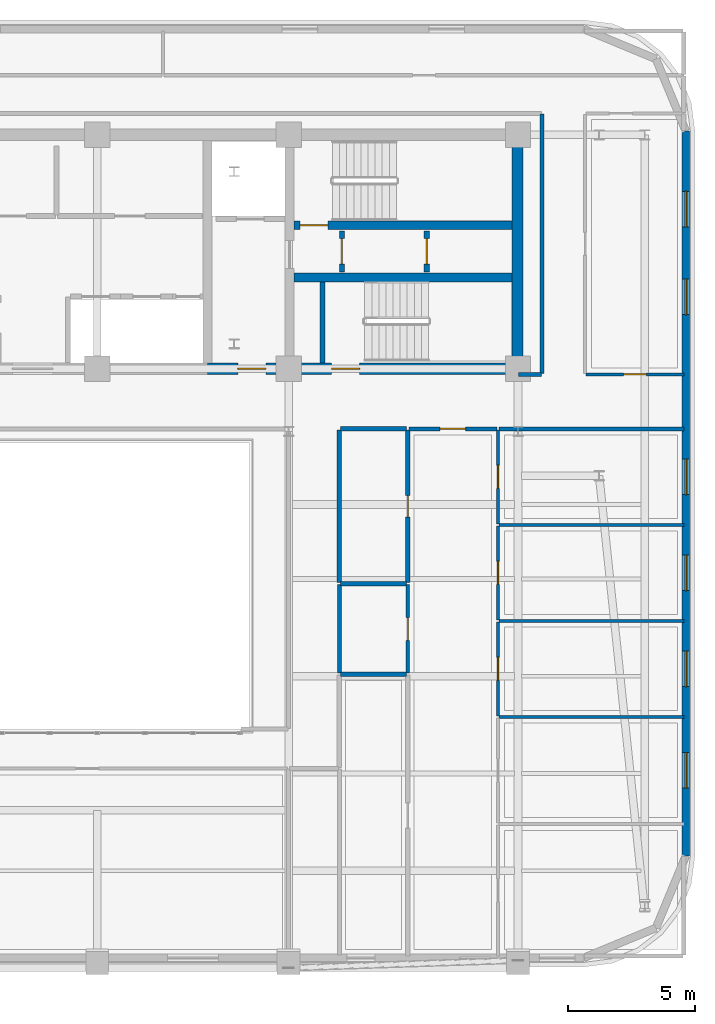
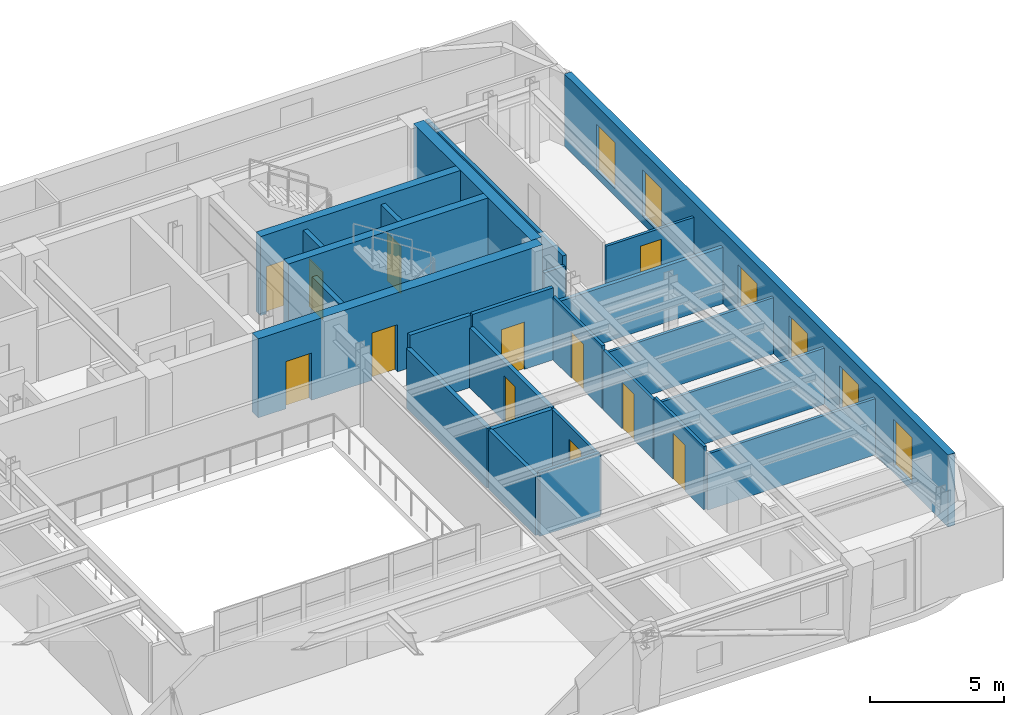
# One storey, part 8 of 13: 26 walls, 12 doors, 6 windows, 18 openings.
"""IFC4 building model written with IfcOpenShell, lengths in metres."""

from ifc_helpers import new_model, si_unit, direction, frame, frame_2d, origin, place, context, subcontext, project, spatial, rectangle, extrude, material, layer, layer_set, type_object, element, fill, save


model = new_model("IFC4")

# Units and contexts
model_context = context("Model", 3, precision=1e-05, world=origin(), true_north=direction((0.0, 1.0)))
body_context = subcontext(model_context, "Body", "Model", "MODEL_VIEW")
ifc_project = project(units=[si_unit("LENGTHUNIT", "METRE"), si_unit("AREAUNIT", "SQUARE_METRE"), si_unit("VOLUMEUNIT", "CUBIC_METRE"), si_unit("PLANEANGLEUNIT", "RADIAN"), si_unit("MASSUNIT", "GRAM", prefix="KILO")], contexts=[model_context])

# Site, building, storey
site_placement = place(None, origin())
site = spatial("IfcSite", under=ifc_project, at=site_placement, CompositionType="ELEMENT")
building_placement = place(site_placement, origin())
building = spatial("IfcBuilding", under=site, at=building_placement, Name="Zarnavel Station Tower", CompositionType="ELEMENT")
storey_placement = place(building_placement, frame((0.0, 0.0, 240.0)))
storey = spatial("IfcBuildingStorey", under=building, at=storey_placement, Name="L65", CompositionType="ELEMENT", Elevation=240.0)

# Wall, opening, door
ifc_material_1 = material(Name="Concrete C50/60", Category="concrete")
ifc_layer_1 = layer(ifc_material_1, 0.35009765625)
ifc_layer_set_1 = layer_set([ifc_layer_1], Name="CW_350")
wall_type_1 = type_object("IfcWallType", Name="CW_350", PredefinedType="SHEAR", material=ifc_layer_set_1)
wall_1_placement = place(storey_placement, frame((45.155029296875, 33.47998046875, 0.0), z_axis=(0.0, 0.0, 1.0), x_axis=(-1.0, 0.0, 0.0)))
wall_1 = element("IfcWall", 1, at=wall_1_placement, inside=storey, type_object=wall_type_1, Name="L65 Rear Core Shear Wall DIV-H2", PredefinedType="SHEAR", context=body_context, shape_type="SweptSolid", body=[
    extrude(rectangle(XDim=8.60009765625, YDim=0.35009765625, at=frame_2d((4.300048828125, 0.0))), origin(), (0.0, 0.0, 1.0), 3.60009765625),
])
opening_1_placement = place(wall_1_placement, frame((7.2548828125, 0.0, 0.0)))
opening_1 = element("IfcOpeningElement", 2, at=opening_1_placement, cuts=wall_1, Name="Opening FD01", PredefinedType="OPENING", context=body_context, shape_type="SweptSolid", body=[
    extrude(rectangle(XDim=1.10009765625, YDim=2.14990234375, at=frame_2d((0.550048828125, 1.074951171875))), frame((0.0, 0.18505859375, 0.0), z_axis=(0.0, -1.0, 0.0), x_axis=(1.0, 0.0, 0.0)), (0.0, 0.0, 1.0), 0.3701171875),
])
ifc_material_2 = material(Name="Painted Galvanised Steel and Hardwood Leaf", Category="steel")
door_type_1 = type_object("IfcDoorType", Name="ID_STAIR_1100", OperationType="NOTDEFINED", PredefinedType="DOOR", material=ifc_material_2)
door_1_placement = place(opening_1_placement, origin())
door_1 = element("IfcDoor", 3, at=door_1_placement, inside=storey, type_object=door_type_1, Name="L65 Stair ST2 Lobby Fire Door", OperationType="SINGLE_SWING_RIGHT", OverallHeight=2.14990234375, OverallWidth=1.10009765625, PredefinedType="DOOR", context=body_context, shape_type="SweptSolid", body=[
    extrude(rectangle(XDim=1.10009765625, YDim=2.14990234375, at=frame_2d((0.550048828125, 1.074951171875))), frame((0.0, 0.02490234375, 0.0), z_axis=(0.0, -1.0, 0.0), x_axis=(1.0, 0.0, 0.0)), (0.0, 0.0, 1.0), 0.050048828125),
])
fill(opening_1, door_1)

# Wall
wall_2_placement = place(storey_placement, frame((36.554931640625, 31.419921875, 0.0), z_axis=(0.0, 0.0, 1.0), x_axis=(1.0, 0.0, 0.0)))
element("IfcWall", 4, at=wall_2_placement, inside=storey, type_object=wall_type_1, Name="L65 Rear Core Shear Wall DIV-H3", PredefinedType="SHEAR", context=body_context, shape_type="SweptSolid", body=[
    extrude(rectangle(XDim=8.60009765625, YDim=0.35009765625, at=frame_2d((4.300048828125, 0.0))), origin(), (0.0, 0.0, 1.0), 3.60009765625),
])

# Wall, openings, doors
ifc_material_3 = material(Name="Concrete C50/60", Category="concrete")
ifc_layer_2 = layer(ifc_material_3, 0.449951171875)
ifc_layer_set_2 = layer_set([ifc_layer_2], Name="CW_450")
wall_type_2 = type_object("IfcWallType", Name="CW_450", PredefinedType="SHEAR", material=ifc_layer_set_2)
wall_3_placement = place(storey_placement, frame((45.3798828125, 27.820068359375, 0.0), z_axis=(0.0, 0.0, 1.0), x_axis=(-1.0, 0.0, 0.0)))
wall_3 = element("IfcWall", 5, at=wall_3_placement, inside=storey, type_object=wall_type_2, Name="L65 Rear Core Shear Wall S-E", PredefinedType="SHEAR", context=body_context, shape_type="SweptSolid", body=[
    extrude(rectangle(XDim=12.22998046875, YDim=0.449951171875, at=frame_2d((6.114990234375, 0.0))), origin(), (0.0, 0.0, 1.0), 3.60009765625),
])
opening_2_placement = place(wall_3_placement, frame((9.929931640625, 0.0, 0.0)))
opening_2 = element("IfcOpeningElement", 6, at=opening_2_placement, cuts=wall_3, Name="Opening FD01", PredefinedType="OPENING", context=body_context, shape_type="SweptSolid", body=[
    extrude(rectangle(XDim=1.10009765625, YDim=2.14990234375, at=frame_2d((0.550048828125, 1.074951171875))), frame((0.0, 0.23486328125, 0.0), z_axis=(0.0, -1.0, 0.0), x_axis=(1.0, 0.0, 0.0)), (0.0, 0.0, 1.0), 0.469970703125),
])
opening_3_placement = place(wall_3_placement, frame((6.22998046875, 0.0, 0.0)))
opening_3 = element("IfcOpeningElement", 7, at=opening_3_placement, cuts=wall_3, Name="Opening FD01", PredefinedType="OPENING", context=body_context, shape_type="SweptSolid", body=[
    extrude(rectangle(XDim=1.10009765625, YDim=2.14990234375, at=frame_2d((0.550048828125, 1.074951171875))), frame((0.0, 0.23486328125, 0.0), z_axis=(0.0, -1.0, 0.0), x_axis=(1.0, 0.0, 0.0)), (0.0, 0.0, 1.0), 0.469970703125),
])
door_2_placement = place(opening_2_placement, origin())
door_2 = element("IfcDoor", 8, at=door_2_placement, inside=storey, type_object=door_type_1, Name="L65 East Firefighting Lobby Door", OperationType="SINGLE_SWING_LEFT", OverallHeight=2.14990234375, OverallWidth=1.10009765625, PredefinedType="DOOR", context=body_context, shape_type="SweptSolid", body=[
    extrude(rectangle(XDim=1.10009765625, YDim=2.14990234375, at=frame_2d((0.550048828125, 1.074951171875))), frame((0.0, 0.02490234375, 0.0), z_axis=(0.0, -1.0, 0.0), x_axis=(1.0, 0.0, 0.0)), (0.0, 0.0, 1.0), 0.050048828125),
])
fill(opening_2, door_2)
door_3_placement = place(opening_3_placement, origin())
door_3 = element("IfcDoor", 9, at=door_3_placement, inside=storey, type_object=door_type_1, Name="L65 Stair ST3 Corridor Fire Door", OperationType="SINGLE_SWING_RIGHT", OverallHeight=2.14990234375, OverallWidth=1.10009765625, PredefinedType="DOOR", context=body_context, shape_type="SweptSolid", body=[
    extrude(rectangle(XDim=1.10009765625, YDim=2.14990234375, at=frame_2d((0.550048828125, 1.074951171875))), frame((0.0, 0.02490234375, 0.0), z_axis=(0.0, -1.0, 0.0), x_axis=(1.0, 0.0, 0.0)), (0.0, 0.0, 1.0), 0.050048828125),
])
fill(opening_3, door_3)

# Wall
wall_4_placement = place(storey_placement, frame((45.3798828125, 28.044921875, 0.0), z_axis=(0.0, 0.0, 1.0), x_axis=(0.0, 1.0, 0.0)))
element("IfcWall", 10, at=wall_4_placement, inside=storey, type_object=wall_type_2, Name="L65 Rear Core Shear Wall E", PredefinedType="SHEAR", context=body_context, shape_type="SweptSolid", body=[
    extrude(rectangle(XDim=8.780029296875, YDim=0.449951171875, at=frame_2d((4.39013671875, 0.0))), origin(), (0.0, 0.0, 1.0), 3.60009765625),
])

# Wall, openings, windows
ifc_material_4 = material(Name="Precast concrete C45/55 (Dark Basalt Finish)", Category="masonry")
ifc_layer_3 = layer(ifc_material_4, 0.300048828125)
ifc_layer_set_3 = layer_set([ifc_layer_3], Name="EW_BASALT_300")
wall_type_3 = type_object("IfcWallType", Name="EW_BASALT_300", PredefinedType="SOLIDWALL", material=ifc_layer_set_3)
wall_5_placement = place(storey_placement, frame((52.02001953125, 37.199951171875, 0.0), z_axis=(0.0, 0.0, 1.0), x_axis=(0.0, -1.0, 0.0)))
wall_5 = element("IfcWall", 11, at=wall_5_placement, inside=storey, type_object=wall_type_3, Name="L65 Exterior Basalt Masonry Frame Wall 03", PredefinedType="SOLIDWALL", context=body_context, shape_type="SweptSolid", body=[
    extrude(rectangle(XDim=28.599853515625, YDim=0.300048828125, at=frame_2d((14.2998046875, 0.0))), origin(), (0.0, 0.0, 1.0), 3.280029296875),
])
opening_4_placement = place(wall_5_placement, frame((2.3798828125, 0.0, 0.340087890625)))
opening_4 = element("IfcOpeningElement", 12, at=opening_4_placement, cuts=wall_5, Name="Opening WN04", PredefinedType="OPENING", context=body_context, shape_type="SweptSolid", body=[
    extrude(rectangle(XDim=1.39990234375, YDim=2.10009765625, at=frame_2d((0.699951171875, 1.050048828125))), frame((0.0, 0.159912109375, 0.0), z_axis=(0.0, -1.0, 0.0), x_axis=(1.0, 0.0, 0.0)), (0.0, 0.0, 1.0), 0.320068359375),
])
opening_5_placement = place(wall_5_placement, frame((5.840087890625, 0.0, 0.340087890625)))
opening_5 = element("IfcOpeningElement", 13, at=opening_5_placement, cuts=wall_5, Name="Opening WN04", PredefinedType="OPENING", context=body_context, shape_type="SweptSolid", body=[
    extrude(rectangle(XDim=1.39990234375, YDim=2.10009765625, at=frame_2d((0.699951171875, 1.050048828125))), frame((0.0, 0.159912109375, 0.0), z_axis=(0.0, -1.0, 0.0), x_axis=(1.0, 0.0, 0.0)), (0.0, 0.0, 1.0), 0.320068359375),
])
opening_6_placement = place(wall_5_placement, frame((24.529052734375, 0.0, 0.340087890625)))
opening_6 = element("IfcOpeningElement", 14, at=opening_6_placement, cuts=wall_5, Name="Opening WN04", PredefinedType="OPENING", context=body_context, shape_type="SweptSolid", body=[
    extrude(rectangle(XDim=1.39990234375, YDim=2.10009765625, at=frame_2d((0.699951171875, 1.050048828125))), frame((0.0, 0.159912109375, 0.0), z_axis=(0.0, -1.0, 0.0), x_axis=(1.0, 0.0, 0.0)), (0.0, 0.0, 1.0), 0.320068359375),
])
opening_7_placement = place(wall_5_placement, frame((20.52099609375, 0.0, 0.340087890625)))
opening_7 = element("IfcOpeningElement", 15, at=opening_7_placement, cuts=wall_5, Name="Opening WN04", PredefinedType="OPENING", context=body_context, shape_type="SweptSolid", body=[
    extrude(rectangle(XDim=1.39990234375, YDim=2.10009765625, at=frame_2d((0.699951171875, 1.050048828125))), frame((0.0, 0.159912109375, 0.0), z_axis=(0.0, -1.0, 0.0), x_axis=(1.0, 0.0, 0.0)), (0.0, 0.0, 1.0), 0.320068359375),
])
opening_8_placement = place(wall_5_placement, frame((16.73291015625, 0.0, 0.340087890625)))
opening_8 = element("IfcOpeningElement", 16, at=opening_8_placement, cuts=wall_5, Name="Opening WN04", PredefinedType="OPENING", context=body_context, shape_type="SweptSolid", body=[
    extrude(rectangle(XDim=1.39990234375, YDim=2.10009765625, at=frame_2d((0.699951171875, 1.050048828125))), frame((0.0, 0.159912109375, 0.0), z_axis=(0.0, -1.0, 0.0), x_axis=(1.0, 0.0, 0.0)), (0.0, 0.0, 1.0), 0.320068359375),
])
opening_9_placement = place(wall_5_placement, frame((12.944580078125, 0.0, 0.340087890625)))
opening_9 = element("IfcOpeningElement", 17, at=opening_9_placement, cuts=wall_5, Name="Opening WN04", PredefinedType="OPENING", context=body_context, shape_type="SweptSolid", body=[
    extrude(rectangle(XDim=1.39990234375, YDim=2.10009765625, at=frame_2d((0.699951171875, 1.050048828125))), frame((0.0, 0.159912109375, 0.0), z_axis=(0.0, -1.0, 0.0), x_axis=(1.0, 0.0, 0.0)), (0.0, 0.0, 1.0), 0.320068359375),
])
ifc_material_5 = material(Name="Thermally Broken Black Aluminium and Low-E Dark Glass", Category="aluminium")
window_type = type_object("IfcWindowType", Name="WN_1400x2100", PartitioningType="DOUBLE_PANEL_VERTICAL", PredefinedType="WINDOW", material=ifc_material_5)
window_1_placement = place(opening_4_placement, origin())
window_1 = element("IfcWindow", 18, at=window_1_placement, inside=storey, type_object=window_type, Name="L65 Recessed Facade Window 01", OverallHeight=2.10009765625, OverallWidth=1.39990234375, PartitioningType="SINGLE_PANEL", PredefinedType="WINDOW", context=body_context, shape_type="SweptSolid", body=[
    extrude(rectangle(XDim=1.39990234375, YDim=2.10009765625, at=frame_2d((0.699951171875, 1.050048828125))), frame((0.0, 0.030029296875, 0.0), z_axis=(0.0, -1.0, 0.0), x_axis=(1.0, 0.0, 0.0)), (0.0, 0.0, 1.0), 0.06005859375),
])
fill(opening_4, window_1)
window_2_placement = place(opening_5_placement, origin())
window_2 = element("IfcWindow", 19, at=window_2_placement, inside=storey, type_object=window_type, Name="L65 Recessed Facade Window 02", OverallHeight=2.10009765625, OverallWidth=1.39990234375, PartitioningType="SINGLE_PANEL", PredefinedType="WINDOW", context=body_context, shape_type="SweptSolid", body=[
    extrude(rectangle(XDim=1.39990234375, YDim=2.10009765625, at=frame_2d((0.699951171875, 1.050048828125))), frame((0.0, 0.030029296875, 0.0), z_axis=(0.0, -1.0, 0.0), x_axis=(1.0, 0.0, 0.0)), (0.0, 0.0, 1.0), 0.06005859375),
])
fill(opening_5, window_2)
window_3_placement = place(opening_6_placement, origin())
window_3 = element("IfcWindow", 20, at=window_3_placement, inside=storey, type_object=window_type, Name="L65 Recessed Facade Window 03", OverallHeight=2.10009765625, OverallWidth=1.39990234375, PartitioningType="SINGLE_PANEL", PredefinedType="WINDOW", context=body_context, shape_type="SweptSolid", body=[
    extrude(rectangle(XDim=1.39990234375, YDim=2.10009765625, at=frame_2d((0.699951171875, 1.050048828125))), frame((0.0, 0.030029296875, 0.0), z_axis=(0.0, -1.0, 0.0), x_axis=(1.0, 0.0, 0.0)), (0.0, 0.0, 1.0), 0.06005859375),
])
fill(opening_6, window_3)
window_4_placement = place(opening_7_placement, origin())
window_4 = element("IfcWindow", 21, at=window_4_placement, inside=storey, type_object=window_type, Name="L65 Recessed Facade Window 04", OverallHeight=2.10009765625, OverallWidth=1.39990234375, PartitioningType="SINGLE_PANEL", PredefinedType="WINDOW", context=body_context, shape_type="SweptSolid", body=[
    extrude(rectangle(XDim=1.39990234375, YDim=2.10009765625, at=frame_2d((0.699951171875, 1.050048828125))), frame((0.0, 0.030029296875, 0.0), z_axis=(0.0, -1.0, 0.0), x_axis=(1.0, 0.0, 0.0)), (0.0, 0.0, 1.0), 0.06005859375),
])
fill(opening_7, window_4)
window_5_placement = place(opening_8_placement, origin())
window_5 = element("IfcWindow", 22, at=window_5_placement, inside=storey, type_object=window_type, Name="L65 Recessed Facade Window 05", OverallHeight=2.10009765625, OverallWidth=1.39990234375, PartitioningType="SINGLE_PANEL", PredefinedType="WINDOW", context=body_context, shape_type="SweptSolid", body=[
    extrude(rectangle(XDim=1.39990234375, YDim=2.10009765625, at=frame_2d((0.699951171875, 1.050048828125))), frame((0.0, 0.030029296875, 0.0), z_axis=(0.0, -1.0, 0.0), x_axis=(1.0, 0.0, 0.0)), (0.0, 0.0, 1.0), 0.06005859375),
])
fill(opening_8, window_5)
window_6_placement = place(opening_9_placement, origin())
window_6 = element("IfcWindow", 23, at=window_6_placement, inside=storey, type_object=window_type, Name="L65 Recessed Facade Window 06", OverallHeight=2.10009765625, OverallWidth=1.39990234375, PartitioningType="SINGLE_PANEL", PredefinedType="WINDOW", context=body_context, shape_type="SweptSolid", body=[
    extrude(rectangle(XDim=1.39990234375, YDim=2.10009765625, at=frame_2d((0.699951171875, 1.050048828125))), frame((0.0, 0.030029296875, 0.0), z_axis=(0.0, -1.0, 0.0), x_axis=(1.0, 0.0, 0.0)), (0.0, 0.0, 1.0), 0.06005859375),
])
fill(opening_9, window_6)

# Wall, opening, door
ifc_material_6 = material(Name="Gypsum Twin-Stud Acoustic Fire Partition", Category="concrete")
ifc_layer_4 = layer(ifc_material_6, 0.159912109375)
ifc_layer_set_4 = layer_set([ifc_layer_4], Name="PT_DEMISE_160")
wall_type_4 = type_object("IfcWallType", Name="PT_DEMISE_160", PredefinedType="PARTITIONING", material=ifc_layer_set_4)
wall_6_placement = place(storey_placement, frame((41.090087890625, 25.449951171875, 0.0), z_axis=(0.0, 0.0, 1.0), x_axis=(1.0, 0.0, 0.0)))
wall_6 = element("IfcWall", 24, at=wall_6_placement, inside=storey, type_object=wall_type_4, Name="L65 Partition COR-S-UE1LV", PredefinedType="PARTITIONING", context=body_context, shape_type="SweptSolid", body=[
    extrude(rectangle(XDim=3.47900390625, YDim=0.159912109375, at=frame_2d((1.739501953125, 0.0))), origin(), (0.0, 0.0, 1.0), 3.280029296875),
])
opening_10_placement = place(wall_6_placement, frame((1.239501953125, 0.0, 0.0)))
opening_10 = element("IfcOpeningElement", 25, at=opening_10_placement, cuts=wall_6, Name="Opening FD02", PredefinedType="OPENING", context=body_context, shape_type="SweptSolid", body=[
    extrude(rectangle(XDim=1.0, YDim=2.14990234375, at=frame_2d((0.5, 1.074951171875))), frame((0.0, 0.08984375, 0.0), z_axis=(0.0, -1.0, 0.0), x_axis=(1.0, 0.0, 0.0)), (0.0, 0.0, 1.0), 0.179931640625),
])
ifc_material_7 = material(Name="Painted Galvanised Steel and Hardwood Leaf", Category="steel")
door_type_2 = type_object("IfcDoorType", Name="ID_ENTRY_1000", OperationType="NOTDEFINED", PredefinedType="DOOR", material=ifc_material_7)
door_4_placement = place(opening_10_placement, origin())
door_4 = element("IfcDoor", 26, at=door_4_placement, inside=storey, type_object=door_type_2, Name="L65 Door COR-S-UE1LV", OperationType="SINGLE_SWING_RIGHT", OverallHeight=2.14990234375, OverallWidth=1.0, PredefinedType="DOOR", context=body_context, shape_type="SweptSolid", body=[
    extrude(rectangle(XDim=1.0, YDim=2.14990234375, at=frame_2d((0.5, 1.074951171875))), frame((0.0, 0.02490234375, 0.0), z_axis=(0.0, -1.0, 0.0), x_axis=(1.0, 0.0, 0.0)), (0.0, 0.0, 1.0), 0.050048828125),
])
fill(opening_10, door_4)

# Walls
wall_7_placement = place(storey_placement, frame((44.64892578125, 25.449951171875, 0.0), z_axis=(0.0, 0.0, 1.0), x_axis=(1.0, 0.0, 0.0)))
element("IfcWall", 27, at=wall_7_placement, inside=storey, type_object=wall_type_4, Name="L65 Partition COR-S-UE1B5", PredefinedType="PARTITIONING", context=body_context, shape_type="SweptSolid", body=[
    extrude(rectangle(XDim=7.291015625, YDim=0.159912109375, at=frame_2d((3.6455078125, 0.0))), origin(), (0.0, 0.0, 1.0), 2.56005859375),
])
wall_8_placement = place(storey_placement, frame((38.35009765625, 15.81103515625, 0.0), z_axis=(0.0, 0.0, 1.0), x_axis=(0.0, 1.0, 0.0)))
element("IfcWall", 28, at=wall_8_placement, inside=storey, type_object=wall_type_4, Name="L65 Partition COR-AE-UE1UT", PredefinedType="PARTITIONING", context=body_context, shape_type="SweptSolid", body=[
    extrude(rectangle(XDim=3.488037109375, YDim=0.159912109375, at=frame_2d((1.744140625, 0.0))), origin(), (0.0, 0.0, 1.0), 2.7099609375),
])
wall_9_placement = place(storey_placement, frame((45.409912109375, 27.60009765625, 0.0), z_axis=(0.0, 0.0, 1.0), x_axis=(1.0, 0.0, 0.0)))
element("IfcWall", 29, at=wall_9_placement, inside=storey, type_object=wall_type_4, Name="L65 Enclosure Wall COR-S", PredefinedType="PARTITIONING", context=body_context, shape_type="SweptSolid", body=[
    extrude(rectangle(XDim=0.91015625, YDim=0.159912109375, at=frame_2d((0.455078125, 0.0))), origin(), (0.0, 0.0, 1.0), 2.35009765625),
])
wall_10_placement = place(storey_placement, frame((46.35009765625, 27.6298828125, 0.0), z_axis=(0.0, 0.0, 1.0), x_axis=(0.0, 1.0, 0.0)))
element("IfcWall", 30, at=wall_10_placement, inside=storey, type_object=wall_type_4, Name="L65 Enclosure Wall COR-E", PredefinedType="PARTITIONING", context=body_context, shape_type="SweptSolid", body=[
    extrude(rectangle(XDim=10.240234375, YDim=0.159912109375, at=frame_2d((5.1201171875, 0.0))), origin(), (0.0, 0.0, 1.0), 2.760009765625),
])

# Wall, opening, door
ifc_material_8 = material(Name="Gypsum Metal-Stud Interior Partition", Category="concrete")
ifc_layer_5 = layer(ifc_material_8, 0.1201171875)
ifc_layer_set_5 = layer_set([ifc_layer_5], Name="PT_ROOM_120")
wall_type_5 = type_object("IfcWallType", Name="PT_ROOM_120", PredefinedType="PARTITIONING", material=ifc_layer_set_5)
wall_11_placement = place(storey_placement, frame((48.090087890625, 27.60009765625, 0.0), z_axis=(0.0, 0.0, 1.0), x_axis=(1.0, 0.0, 0.0)))
wall_11 = element("IfcWall", 31, at=wall_11_placement, inside=storey, type_object=wall_type_5, Name="L65 Partition COR-S-FNE", PredefinedType="PARTITIONING", context=body_context, shape_type="SweptSolid", body=[
    extrude(rectangle(XDim=3.849853515625, YDim=0.1201171875, at=frame_2d((1.9248046875, 0.0))), origin(), (0.0, 0.0, 1.0), 2.610107421875),
])
opening_11_placement = place(wall_11_placement, frame((1.47509765625, 0.0, 0.0)))
opening_11 = element("IfcOpeningElement", 32, at=opening_11_placement, cuts=wall_11, Name="Opening ID01", PredefinedType="OPENING", context=body_context, shape_type="SweptSolid", body=[
    extrude(rectangle(XDim=0.89990234375, YDim=2.10009765625, at=frame_2d((0.449951171875, 1.050048828125))), frame((0.0, 0.070068359375, 0.0), z_axis=(0.0, -1.0, 0.0), x_axis=(1.0, 0.0, 0.0)), (0.0, 0.0, 1.0), 0.14013671875),
])
ifc_material_9 = material(Name="Painted Galvanised Steel and Hardwood Leaf", Category="steel")
door_type_3 = type_object("IfcDoorType", Name="ID_ROOM_900", OperationType="NOTDEFINED", PredefinedType="DOOR", material=ifc_material_9)
door_5_placement = place(opening_11_placement, origin())
door_5 = element("IfcDoor", 33, at=door_5_placement, inside=storey, type_object=door_type_3, Name="L65 Door COR-S-FNE", OperationType="SINGLE_SWING_RIGHT", OverallHeight=2.10009765625, OverallWidth=0.89990234375, PredefinedType="DOOR", context=body_context, shape_type="SweptSolid", body=[
    extrude(rectangle(XDim=0.89990234375, YDim=2.10009765625, at=frame_2d((0.449951171875, 1.050048828125))), frame((0.0, 0.02490234375, 0.0), z_axis=(0.0, -1.0, 0.0), x_axis=(1.0, 0.0, 0.0)), (0.0, 0.0, 1.0), 0.050048828125),
])
fill(opening_11, door_5)

wall_12_placement = place(storey_placement, frame((41.050048828125, 15.81103515625, 0.0), z_axis=(0.0, 0.0, 1.0), x_axis=(0.0, 1.0, 0.0)))
wall_12 = element("IfcWall", 34, at=wall_12_placement, inside=storey, type_object=wall_type_5, Name="L65 Partition UE1LV-UE1UT", PredefinedType="PARTITIONING", context=body_context, shape_type="SweptSolid", body=[
    extrude(rectangle(XDim=3.488037109375, YDim=0.1201171875, at=frame_2d((1.744140625, 0.0))), origin(), (0.0, 0.0, 1.0), 2.7099609375),
])
opening_12_placement = place(wall_12_placement, frame((1.2939453125, 0.0, 0.0)))
opening_12 = element("IfcOpeningElement", 35, at=opening_12_placement, cuts=wall_12, Name="Opening ID01", PredefinedType="OPENING", context=body_context, shape_type="SweptSolid", body=[
    extrude(rectangle(XDim=0.89990234375, YDim=2.10009765625, at=frame_2d((0.449951171875, 1.050048828125))), frame((0.0, 0.070068359375, 0.0), z_axis=(0.0, -1.0, 0.0), x_axis=(1.0, 0.0, 0.0)), (0.0, 0.0, 1.0), 0.14013671875),
])
door_6_placement = place(opening_12_placement, origin())
door_6 = element("IfcDoor", 36, at=door_6_placement, inside=storey, type_object=door_type_3, Name="L65 Door UE1LV-UE1UT", OperationType="SINGLE_SWING_RIGHT", OverallHeight=2.10009765625, OverallWidth=0.89990234375, PredefinedType="DOOR", context=body_context, shape_type="SweptSolid", body=[
    extrude(rectangle(XDim=0.89990234375, YDim=2.10009765625, at=frame_2d((0.449951171875, 1.050048828125))), frame((0.0, 0.02490234375, 0.0), z_axis=(0.0, -1.0, 0.0), x_axis=(1.0, 0.0, 0.0)), (0.0, 0.0, 1.0), 0.050048828125),
])
fill(opening_12, door_6)

wall_13_placement = place(storey_placement, frame((44.60888671875, 14.125, 0.0), z_axis=(0.0, 0.0, 1.0), x_axis=(0.0, 1.0, 0.0)))
wall_13 = element("IfcWall", 37, at=wall_13_placement, inside=storey, type_object=wall_type_5, Name="L65 Partition UE1LV-UE1B3", PredefinedType="PARTITIONING", context=body_context, shape_type="SweptSolid", body=[
    extrude(rectangle(XDim=3.7080078125, YDim=0.1201171875, at=frame_2d((1.85400390625, 0.0))), origin(), (0.0, 0.0, 1.0), 2.8701171875),
])
opening_13_placement = place(wall_13_placement, frame((1.404052734375, 0.0, 0.0)))
opening_13 = element("IfcOpeningElement", 38, at=opening_13_placement, cuts=wall_13, Name="Opening ID01", PredefinedType="OPENING", context=body_context, shape_type="SweptSolid", body=[
    extrude(rectangle(XDim=0.89990234375, YDim=2.10009765625, at=frame_2d((0.449951171875, 1.050048828125))), frame((0.0, 0.070068359375, 0.0), z_axis=(0.0, -1.0, 0.0), x_axis=(1.0, 0.0, 0.0)), (0.0, 0.0, 1.0), 0.14013671875),
])
door_7_placement = place(opening_13_placement, origin())
door_7 = element("IfcDoor", 39, at=door_7_placement, inside=storey, type_object=door_type_3, Name="L65 Door UE1LV-UE1B3", OperationType="SINGLE_SWING_RIGHT", OverallHeight=2.10009765625, OverallWidth=0.89990234375, PredefinedType="DOOR", context=body_context, shape_type="SweptSolid", body=[
    extrude(rectangle(XDim=0.89990234375, YDim=2.10009765625, at=frame_2d((0.449951171875, 1.050048828125))), frame((0.0, 0.02490234375, 0.0), z_axis=(0.0, -1.0, 0.0), x_axis=(1.0, 0.0, 0.0)), (0.0, 0.0, 1.0), 0.050048828125),
])
fill(opening_13, door_7)

wall_14_placement = place(storey_placement, frame((44.60888671875, 17.9130859375, 0.0), z_axis=(0.0, 0.0, 1.0), x_axis=(0.0, 1.0, 0.0)))
wall_14 = element("IfcWall", 40, at=wall_14_placement, inside=storey, type_object=wall_type_5, Name="L65 Partition UE1LV-UE1B4", PredefinedType="PARTITIONING", context=body_context, shape_type="SweptSolid", body=[
    extrude(rectangle(XDim=3.7080078125, YDim=0.1201171875, at=frame_2d((1.85400390625, 0.0))), origin(), (0.0, 0.0, 1.0), 2.7099609375),
])
opening_14_placement = place(wall_14_placement, frame((1.404052734375, 0.0, 0.0)))
opening_14 = element("IfcOpeningElement", 41, at=opening_14_placement, cuts=wall_14, Name="Opening ID01", PredefinedType="OPENING", context=body_context, shape_type="SweptSolid", body=[
    extrude(rectangle(XDim=0.89990234375, YDim=2.10009765625, at=frame_2d((0.449951171875, 1.050048828125))), frame((0.0, 0.070068359375, 0.0), z_axis=(0.0, -1.0, 0.0), x_axis=(1.0, 0.0, 0.0)), (0.0, 0.0, 1.0), 0.14013671875),
])
door_8_placement = place(opening_14_placement, origin())
door_8 = element("IfcDoor", 42, at=door_8_placement, inside=storey, type_object=door_type_3, Name="L65 Door UE1LV-UE1B4", OperationType="SINGLE_SWING_LEFT", OverallHeight=2.10009765625, OverallWidth=0.89990234375, PredefinedType="DOOR", context=body_context, shape_type="SweptSolid", body=[
    extrude(rectangle(XDim=0.89990234375, YDim=2.10009765625, at=frame_2d((0.449951171875, 1.050048828125))), frame((0.0, 0.02490234375, 0.0), z_axis=(0.0, -1.0, 0.0), x_axis=(1.0, 0.0, 0.0)), (0.0, 0.0, 1.0), 0.050048828125),
])
fill(opening_14, door_8)

wall_15_placement = place(storey_placement, frame((44.60888671875, 21.700927734375, 0.0), z_axis=(0.0, 0.0, 1.0), x_axis=(0.0, 1.0, 0.0)))
wall_15 = element("IfcWall", 43, at=wall_15_placement, inside=storey, type_object=wall_type_5, Name="L65 Partition UE1LV-UE1B5", PredefinedType="PARTITIONING", context=body_context, shape_type="SweptSolid", body=[
    extrude(rectangle(XDim=3.708984375, YDim=0.1201171875, at=frame_2d((1.8544921875, 0.0))), origin(), (0.0, 0.0, 1.0), 2.8701171875),
])
opening_15_placement = place(wall_15_placement, frame((1.404541015625, 0.0, 0.0)))
opening_15 = element("IfcOpeningElement", 44, at=opening_15_placement, cuts=wall_15, Name="Opening ID01", PredefinedType="OPENING", context=body_context, shape_type="SweptSolid", body=[
    extrude(rectangle(XDim=0.89990234375, YDim=2.10009765625, at=frame_2d((0.449951171875, 1.050048828125))), frame((0.0, 0.070068359375, 0.0), z_axis=(0.0, -1.0, 0.0), x_axis=(1.0, 0.0, 0.0)), (0.0, 0.0, 1.0), 0.14013671875),
])
door_9_placement = place(opening_15_placement, origin())
door_9 = element("IfcDoor", 45, at=door_9_placement, inside=storey, type_object=door_type_3, Name="L65 Door UE1LV-UE1B5", OperationType="SINGLE_SWING_RIGHT", OverallHeight=2.10009765625, OverallWidth=0.89990234375, PredefinedType="DOOR", context=body_context, shape_type="SweptSolid", body=[
    extrude(rectangle(XDim=0.89990234375, YDim=2.10009765625, at=frame_2d((0.449951171875, 1.050048828125))), frame((0.0, 0.02490234375, 0.0), z_axis=(0.0, -1.0, 0.0), x_axis=(1.0, 0.0, 0.0)), (0.0, 0.0, 1.0), 0.050048828125),
])
fill(opening_15, door_9)

# Walls
for number, where, z_axis, x_axis, name in (
    (46, (44.64892578125, 14.0849609375, 0.0), (0.0, 0.0, 1.0), (1.0, 0.0, 0.0), "L65 Partition UE1B2-UE1B3"),
    (47, (44.64892578125, 17.873046875, 0.0), (0.0, 0.0, 1.0), (1.0, 0.0, 0.0), "L65 Partition UE1B3-UE1B4"),
    (48, (44.64892578125, 21.660888671875, 0.0), (0.0, 0.0, 1.0), (1.0, 0.0, 0.0), "L65 Partition UE1B4-UE1B5"),
):
    element("IfcWall", number, at=place(storey_placement, frame(where, z_axis=z_axis, x_axis=x_axis)), inside=storey, type_object=wall_type_5, Name=name, PredefinedType="PARTITIONING", context=body_context, shape_type="SweptSolid", body=[
        extrude(rectangle(XDim=7.291015625, YDim=0.1201171875, at=frame_2d((3.6455078125, 0.0))), origin(), (0.0, 0.0, 1.0), 2.56005859375),
    ])
ifc_material_10 = material(Name="Precast concrete C45/55 (Fire Shaft Blockwork)", Category="masonry")
ifc_layer_6 = layer(ifc_material_10, 0.199951171875)
ifc_layer_set_6 = layer_set([ifc_layer_6], Name="PT_SHAFT_200")
wall_type_6 = type_object("IfcWallType", Name="PT_SHAFT_200", PredefinedType="PARTITIONING", material=ifc_layer_set_6)
wall_16_placement = place(storey_placement, frame((37.679931640625, 28.044921875, 0.0), z_axis=(0.0, 0.0, 1.0), x_axis=(0.0, 1.0, 0.0)))
element("IfcWall", 49, at=wall_16_placement, inside=storey, type_object=wall_type_6, Name="L65 Stair ST3 West Shaft Wall", PredefinedType="PARTITIONING", context=body_context, shape_type="SweptSolid", body=[
    extrude(rectangle(XDim=3.205078125, YDim=0.199951171875, at=frame_2d((1.6025390625, 0.0))), origin(), (0.0, 0.0, 1.0), 2.659912109375),
])

# Wall, opening, door
wall_17_placement = place(storey_placement, frame((38.449951171875, 31.639892578125, 0.0), z_axis=(0.0, 0.0, 1.0), x_axis=(0.0, 1.0, 0.0)))
wall_17 = element("IfcWall", 50, at=wall_17_placement, inside=storey, type_object=wall_type_6, Name="L65 Partition ESTV-CEA", PredefinedType="PARTITIONING", context=body_context, shape_type="SweptSolid", body=[
    extrude(rectangle(XDim=1.6201171875, YDim=0.199951171875, at=frame_2d((0.81005859375, 0.0))), origin(), (0.0, 0.0, 1.0), 3.280029296875),
])
opening_16_placement = place(wall_17_placement, frame((0.31005859375, 0.0, 0.0)))
opening_16 = element("IfcOpeningElement", 51, at=opening_16_placement, cuts=wall_17, Name="Opening FD02", PredefinedType="OPENING", context=body_context, shape_type="SweptSolid", body=[
    extrude(rectangle(XDim=1.0, YDim=2.14990234375, at=frame_2d((0.5, 1.074951171875))), frame((0.0, 0.10986328125, 0.0), z_axis=(0.0, -1.0, 0.0), x_axis=(1.0, 0.0, 0.0)), (0.0, 0.0, 1.0), 0.219970703125),
])
door_10_placement = place(opening_16_placement, origin())
door_10 = element("IfcDoor", 52, at=door_10_placement, inside=storey, type_object=door_type_2, Name="L65 Door ESTV-CEA", OperationType="SINGLE_SWING_RIGHT", OverallHeight=2.14990234375, OverallWidth=1.0, PredefinedType="DOOR", context=body_context, shape_type="SweptSolid", body=[
    extrude(rectangle(XDim=1.0, YDim=2.14990234375, at=frame_2d((0.5, 1.074951171875))), frame((0.0, 0.02490234375, 0.0), z_axis=(0.0, -1.0, 0.0), x_axis=(1.0, 0.0, 0.0)), (0.0, 0.0, 1.0), 0.050048828125),
])
fill(opening_16, door_10)

wall_18_placement = place(storey_placement, frame((41.800048828125, 31.639892578125, 0.0), z_axis=(0.0, 0.0, 1.0), x_axis=(0.0, 1.0, 0.0)))
wall_18 = element("IfcWall", 53, at=wall_18_placement, inside=storey, type_object=wall_type_6, Name="L65 Partition CEA-CEB", PredefinedType="PARTITIONING", context=body_context, shape_type="SweptSolid", body=[
    extrude(rectangle(XDim=1.6201171875, YDim=0.199951171875, at=frame_2d((0.81005859375, 0.0))), origin(), (0.0, 0.0, 1.0), 3.280029296875),
])
opening_17_placement = place(wall_18_placement, frame((0.31005859375, 0.0, 0.0)))
opening_17 = element("IfcOpeningElement", 54, at=opening_17_placement, cuts=wall_18, Name="Opening FD02", PredefinedType="OPENING", context=body_context, shape_type="SweptSolid", body=[
    extrude(rectangle(XDim=1.0, YDim=2.14990234375, at=frame_2d((0.5, 1.074951171875))), frame((0.0, 0.10986328125, 0.0), z_axis=(0.0, -1.0, 0.0), x_axis=(1.0, 0.0, 0.0)), (0.0, 0.0, 1.0), 0.219970703125),
])
door_11_placement = place(opening_17_placement, origin())
door_11 = element("IfcDoor", 55, at=door_11_placement, inside=storey, type_object=door_type_2, Name="L65 Door CEA-CEB", OperationType="SINGLE_SWING_LEFT", OverallHeight=2.14990234375, OverallWidth=1.0, PredefinedType="DOOR", context=body_context, shape_type="SweptSolid", body=[
    extrude(rectangle(XDim=1.0, YDim=2.14990234375, at=frame_2d((0.5, 1.074951171875))), frame((0.0, 0.02490234375, 0.0), z_axis=(0.0, -1.0, 0.0), x_axis=(1.0, 0.0, 0.0)), (0.0, 0.0, 1.0), 0.050048828125),
])
fill(opening_17, door_11)

# Walls
ifc_material_11 = material(Name="Moisture-Resistant Plumbing Chase Wall", Category="concrete")
ifc_layer_7 = layer(ifc_material_11, 0.179931640625)
ifc_layer_set_7 = layer_set([ifc_layer_7], Name="PW_PLUMB_180")
wall_type_7 = type_object("IfcWallType", Name="PW_PLUMB_180", PredefinedType="PLUMBINGWALL", material=ifc_layer_set_7)
wall_19_placement = place(storey_placement, frame((38.389892578125, 25.449951171875, 0.0), z_axis=(0.0, 0.0, 1.0), x_axis=(1.0, 0.0, 0.0)))
element("IfcWall", 56, at=wall_19_placement, inside=storey, type_object=wall_type_7, Name="L65 Partition COR-S-UE1BA", PredefinedType="PLUMBINGWALL", context=body_context, shape_type="SweptSolid", body=[
    extrude(rectangle(XDim=2.6201171875, YDim=0.179931640625, at=frame_2d((1.31005859375, 0.0))), origin(), (0.0, 0.0, 1.0), 3.280029296875),
])
wall_20_placement = place(storey_placement, frame((38.35009765625, 19.37890625, 0.0), z_axis=(0.0, 0.0, 1.0), x_axis=(0.0, 1.0, 0.0)))
element("IfcWall", 57, at=wall_20_placement, inside=storey, type_object=wall_type_7, Name="L65 Partition COR-AE-UE1BA", PredefinedType="PLUMBINGWALL", context=body_context, shape_type="SweptSolid", body=[
    extrude(rectangle(XDim=6.031005859375, YDim=0.179931640625, at=frame_2d((3.015625, 0.0))), origin(), (0.0, 0.0, 1.0), 2.7099609375),
])

# Wall, opening, door
wall_21_placement = place(storey_placement, frame((41.050048828125, 19.37890625, 0.0), z_axis=(0.0, 0.0, 1.0), x_axis=(0.0, 1.0, 0.0)))
wall_21 = element("IfcWall", 58, at=wall_21_placement, inside=storey, type_object=wall_type_7, Name="L65 Partition UE1LV-UE1BA", PredefinedType="PLUMBINGWALL", context=body_context, shape_type="SweptSolid", body=[
    extrude(rectangle(XDim=6.031005859375, YDim=0.179931640625, at=frame_2d((3.015625, 0.0))), origin(), (0.0, 0.0, 1.0), 2.7099609375),
])
opening_18_placement = place(wall_21_placement, frame((2.590576171875, 0.0, 0.0)))
opening_18 = element("IfcOpeningElement", 59, at=opening_18_placement, cuts=wall_21, Name="Opening ID02", PredefinedType="OPENING", context=body_context, shape_type="SweptSolid", body=[
    extrude(rectangle(XDim=0.85009765625, YDim=2.10009765625, at=frame_2d((0.425048828125, 1.050048828125))), frame((0.0, 0.099853515625, 0.0), z_axis=(0.0, -1.0, 0.0), x_axis=(1.0, 0.0, 0.0)), (0.0, 0.0, 1.0), 0.199951171875),
])
ifc_material_12 = material(Name="Painted Galvanised Steel and Hardwood Leaf", Category="steel")
door_type_4 = type_object("IfcDoorType", Name="ID_BATH_850", OperationType="NOTDEFINED", PredefinedType="DOOR", material=ifc_material_12)
door_12_placement = place(opening_18_placement, origin())
door_12 = element("IfcDoor", 60, at=door_12_placement, inside=storey, type_object=door_type_4, Name="L65 Door UE1LV-UE1BA", OperationType="SINGLE_SWING_LEFT", OverallHeight=2.10009765625, OverallWidth=0.85009765625, PredefinedType="DOOR", context=body_context, shape_type="SweptSolid", body=[
    extrude(rectangle(XDim=0.85009765625, YDim=2.10009765625, at=frame_2d((0.425048828125, 1.050048828125))), frame((0.0, 0.02490234375, 0.0), z_axis=(0.0, -1.0, 0.0), x_axis=(1.0, 0.0, 0.0)), (0.0, 0.0, 1.0), 0.050048828125),
])
fill(opening_18, door_12)

# Walls
wall_22_placement = place(storey_placement, frame((38.389892578125, 15.77099609375, 0.0), z_axis=(0.0, 0.0, 1.0), x_axis=(1.0, 0.0, 0.0)))
element("IfcWall", 61, at=wall_22_placement, inside=storey, type_object=wall_type_7, Name="L65 Partition UE1KT-UE1UT", PredefinedType="PLUMBINGWALL", context=body_context, shape_type="SweptSolid", body=[
    extrude(rectangle(XDim=2.6201171875, YDim=0.179931640625, at=frame_2d((1.31005859375, 0.0))), origin(), (0.0, 0.0, 1.0), 2.8701171875),
])
wall_23_placement = place(storey_placement, frame((38.389892578125, 19.339111328125, 0.0), z_axis=(0.0, 0.0, 1.0), x_axis=(1.0, 0.0, 0.0)))
element("IfcWall", 62, at=wall_23_placement, inside=storey, type_object=wall_type_7, Name="L65 Partition UE1UT-UE1BA", PredefinedType="PLUMBINGWALL", context=body_context, shape_type="SweptSolid", body=[
    extrude(rectangle(XDim=2.6201171875, YDim=0.179931640625, at=frame_2d((1.31005859375, 0.0))), origin(), (0.0, 0.0, 1.0), 2.7099609375),
])

save(model, "model.ifc")
